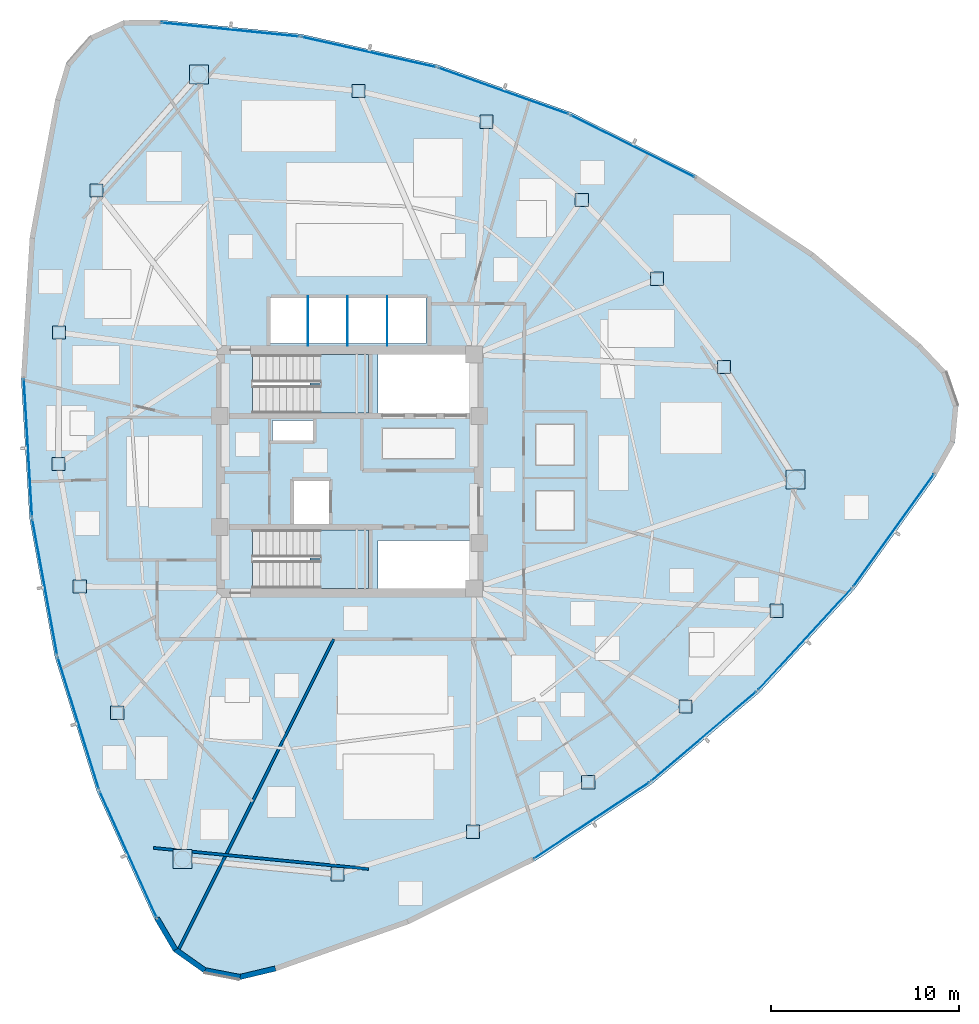
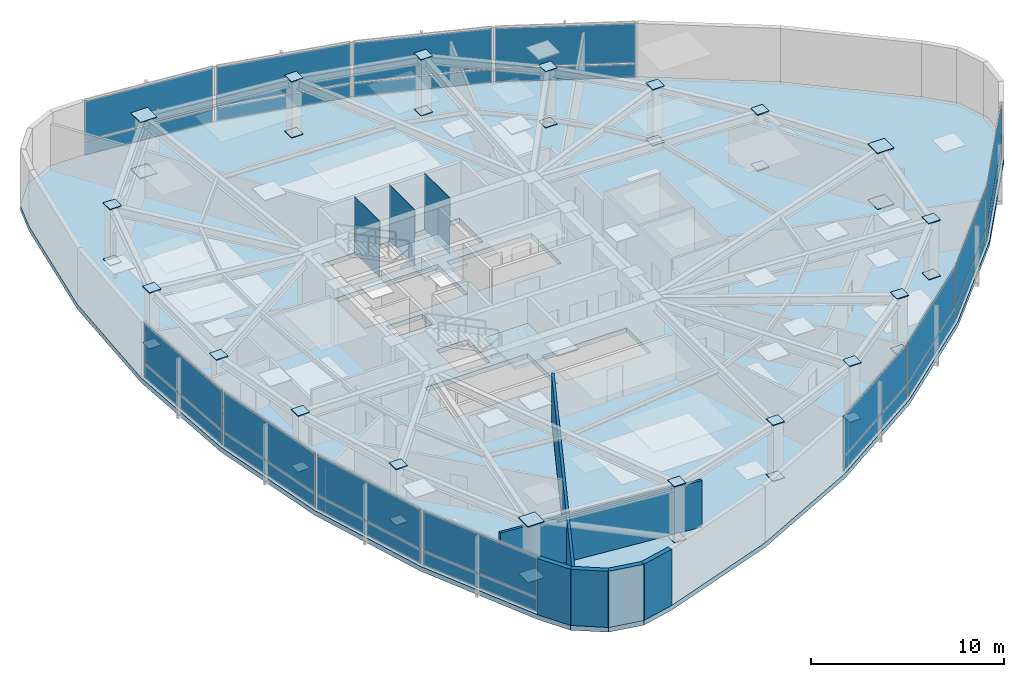
# One storey, part 10 of 17: 63 plates, 6 walls, 3 slabs, 14 elements without a shape of their own.
"""IFC4 building model written with IfcOpenShell, lengths in metres."""

from ifc_helpers import new_model, si_unit, direction, frame, frame_2d, origin, origin_2d, place, context, subcontext, project, spatial, polyline, rectangle, outline, extrude, source, transform, mapped, material, layer, layer_set, type_object, type_shapes, element, aggregate, save


model = new_model("IFC4")

# Units and contexts
model_context = context("Model", 3, precision=1e-05, world=origin(), true_north=direction((0.0, 1.0)))
body_context = subcontext(model_context, "Body", "Model", "MODEL_VIEW")
ifc_project = project(units=[si_unit("LENGTHUNIT", "METRE"), si_unit("AREAUNIT", "SQUARE_METRE"), si_unit("VOLUMEUNIT", "CUBIC_METRE"), si_unit("PLANEANGLEUNIT", "RADIAN"), si_unit("MASSUNIT", "GRAM", prefix="KILO")], contexts=[model_context])

# Site, building, storey
site_placement = place(None, origin())
site = spatial("IfcSite", under=ifc_project, at=site_placement, CompositionType="ELEMENT")
building_placement = place(site_placement, origin())
building = spatial("IfcBuilding", under=site, at=building_placement, Name="Tavelor Broadcast Tower", CompositionType="ELEMENT")
storey_placement = place(building_placement, frame((0.0, 0.0, 188.75)))
storey = spatial("IfcBuildingStorey", under=building, at=storey_placement, Name="L45", CompositionType="ELEMENT", Elevation=188.75)

# Stair, slab
ifc_material_1 = material(Name="Concrete C40/50", Category="concrete")
stair_type = type_object("IfcStairType", Name="Reinforced Concrete Protected Dogleg Stair 1450 mm", PredefinedType="HALF_TURN_STAIR", material=ifc_material_1)
stair_1_placement = place(storey_placement, origin())
stair_1 = element("IfcStair", 1, at=stair_1_placement, inside=storey, type_object=stair_type, Name="L45 Protected Core Exit Stair ST1", PredefinedType="HALF_TURN_STAIR")
ifc_layer_1 = layer(ifc_material_1, 0.199951171875)
ifc_layer_set_1 = layer_set([ifc_layer_1], Name="Concrete C40/50")
slab_type_1 = type_object("IfcSlabType", Name="Reinforced Concrete Stair Half-Landing Slab 200 mm", PredefinedType="LANDING", material=ifc_layer_set_1)
slab_1_placement = place(storey_placement, frame((0.0, 0.0, 1.72509765625)))
slab_1 = element("IfcSlab", 2, at=slab_1_placement, type_object=slab_type_1, Name="ST1 landing 1", PredefinedType="LANDING", context=body_context, shape_type="SweptSolid", body=[
    extrude(outline(polyline([(48.445068359375, 49.590087890625), (48.445068359375, 48.094970703125), (51.0048828125, 48.094970703125), (51.0048828125, 51.205078125), (48.445068359375, 51.205078125), (48.445068359375, 49.7099609375), (47.905029296875, 49.7099609375), (47.905029296875, 49.590087890625), (48.445068359375, 49.590087890625)])), origin(), (0.0, 0.0, 1.0), 0.199951171875),
])
aggregate(stair_1, [slab_1])

stair_2_placement = place(storey_placement, origin())
stair_2 = element("IfcStair", 3, at=stair_2_placement, inside=storey, type_object=stair_type, Name="L45 Protected Core Exit Stair ST2", PredefinedType="HALF_TURN_STAIR")
slab_2_placement = place(storey_placement, frame((0.0, 0.0, 1.72509765625)))
slab_2 = element("IfcSlab", 4, at=slab_2_placement, type_object=slab_type_1, Name="ST2 landing 1", PredefinedType="LANDING", context=body_context, shape_type="SweptSolid", body=[
    extrude(outline(polyline([(48.445068359375, 40.2900390625), (48.445068359375, 38.794921875), (51.0048828125, 38.794921875), (51.0048828125, 41.905029296875), (48.445068359375, 41.905029296875), (48.445068359375, 40.409912109375), (47.905029296875, 40.409912109375), (47.905029296875, 40.2900390625), (48.445068359375, 40.2900390625)])), origin(), (0.0, 0.0, 1.0), 0.199951171875),
])
aggregate(stair_2, [slab_2])

# Slab
ifc_layer_2 = layer(ifc_material_1, 0.300048828125)
ifc_layer_set_2 = layer_set([ifc_layer_2], Name="Concrete C40/50")
slab_type_2 = type_object("IfcSlabType", Name="Tower Composite Floor Slab 300 mm", PredefinedType="FLOOR", material=ifc_layer_set_2)
slab_3_placement = place(storey_placement, frame((0.0, 0.0, -0.300048828125)))
element("IfcSlab", 5, at=slab_3_placement, inside=storey, type_object=slab_type_2, Name="L45 Structural Floor Slab", PredefinedType="FLOOR", context=body_context, shape_type="SweptSolid", body=[
    extrude(outline(polyline([(39.977783203125, 68.96826171875), (38.01513671875, 68.952880859375), (36.232666015625, 68.131103515625), (34.9462890625, 66.648681640625), (34.384033203125, 64.768310546875), (33.025634765625, 57.42236328125), (32.566162109375, 49.9658203125), (33.012451171875, 42.508544921875), (34.35791015625, 35.16015625), (36.58251953125, 28.028564453125), (39.654052734375, 21.218505859375), (40.648681640625, 19.526611328125), (42.25146484375, 18.393798828125), (44.178466796875, 18.02099609375), (46.088134765625, 18.474365234375), (53.129150390625, 20.970947265625), (59.81640625, 24.30126953125), (66.051513671875, 28.416259765625), (71.74267578125, 33.255615234375), (76.806396484375, 38.748291015625), (81.168212890625, 44.81298828125), (82.13623046875, 46.5205078125), (82.31591796875, 48.47509765625), (81.67529296875, 50.330078125), (80.327880859375, 51.75732421875), (74.645263671875, 56.606689453125), (68.41748046875, 60.73291015625), (61.736083984375, 64.074951171875), (54.69970703125, 66.583984375), (47.410888671875, 68.22314453125), (39.977783203125, 68.96826171875)]), holes=[polyline([(56.60009765625, 41.35009765625), (56.60009765625, 38.800048828125), (51.52001953125, 38.800048828125), (51.52001953125, 41.35009765625), (56.60009765625, 41.35009765625)]), polyline([(50.99609375, 38.803955078125), (44.85400390625, 38.803955078125), (44.85400390625, 41.89599609375), (50.99609375, 41.89599609375), (50.99609375, 38.803955078125)]), polyline([(47.050048828125, 42.199951171875), (47.050048828125, 44.550048828125), (48.949951171875, 44.550048828125), (48.949951171875, 42.199951171875), (47.050048828125, 42.199951171875)]), polyline([(48.050048828125, 46.64990234375), (45.89990234375, 46.64990234375), (45.89990234375, 47.699951171875), (48.050048828125, 47.699951171875), (48.050048828125, 46.64990234375)]), polyline([(50.99609375, 48.10400390625), (44.85400390625, 48.10400390625), (44.85400390625, 51.196044921875), (50.99609375, 51.196044921875), (50.99609375, 48.10400390625)]), polyline([(56.60009765625, 48.10009765625), (51.52001953125, 48.10009765625), (51.52001953125, 51.199951171875), (56.60009765625, 51.199951171875), (56.60009765625, 48.10009765625)]), polyline([(54.050048828125, 51.800048828125), (45.800048828125, 51.800048828125), (45.800048828125, 54.25), (54.050048828125, 54.25), (54.050048828125, 51.800048828125)])]), origin(), (0.0, 0.0, 1.0), 0.300048828125),
])

# Plates
ifc_material_2 = material(Name="Steel S460", Category="steel")
ifc_layer_3 = layer(ifc_material_2, 0.050048828125)
ifc_layer_set_3 = layer_set([ifc_layer_3], Name="Steel S460")
plate_type_1 = type_object("IfcPlateType", Name="Tube Hollow-End Cap Plate KN05 700x700x50", PredefinedType="USERDEFINED", material=ifc_layer_set_3)
shared_shape_1 = source(origin(), body_context, "Body", "SweptSolid", [
    extrude(rectangle(XDim=0.699951171875, YDim=0.699951171875, at=origin_2d()), origin(), (0.0, 0.0, 1.0), 0.054931640625),
])
for number, where, z_axis, x_axis, name in (
    (6, (36.567626953125, 59.91064453125, -0.02734375), (0.0, 0.0, 1.0), (1.0, 0.0, 0.0), "L45 Hollow End Cap Plate KN05 #1289"),
    (7, (36.567626953125, 59.91064453125, 3.5224609375), (0.0, 0.0, 1.0), (1.0, 0.0, 0.0), "L45 Hollow End Cap Plate KN05 #1290"),
    (8, (34.5751953125, 52.37939453125, -0.02734375), (0.0, 0.0, 1.0), (1.0, 0.0, 0.0), "L45 Hollow End Cap Plate KN05 #1291"),
    (9, (34.5751953125, 52.37939453125, 3.5224609375), (0.0, 0.0, 1.0), (1.0, 0.0, 0.0), "L45 Hollow End Cap Plate KN05 #1292"),
    (10, (34.54638671875, 45.399169921875, -0.02734375), (0.0, 0.0, 1.0), (1.0, 0.0, 0.0), "L45 Hollow End Cap Plate KN05 #1293"),
    (11, (34.54638671875, 45.399169921875, 3.5224609375), (0.0, 0.0, 1.0), (1.0, 0.0, 0.0), "L45 Hollow End Cap Plate KN05 #1294"),
    (12, (35.680908203125, 38.89990234375, -0.02734375), (0.0, 0.0, 1.0), (1.0, 0.0, 0.0), "L45 Hollow End Cap Plate KN05 #1295"),
    (13, (35.680908203125, 38.89990234375, 3.5224609375), (0.0, 0.0, 1.0), (1.0, 0.0, 0.0), "L45 Hollow End Cap Plate KN05 #1296"),
    (14, (37.668212890625, 32.1904296875, -0.02734375), (0.0, 0.0, 1.0), (1.0, 0.0, 0.0), "L45 Hollow End Cap Plate KN05 #1297"),
    (15, (37.668212890625, 32.1904296875, 3.5224609375), (0.0, 0.0, 1.0), (1.0, 0.0, 0.0), "L45 Hollow End Cap Plate KN05 #1298"),
    (16, (49.366455078125, 23.618896484375, -0.02734375), (0.0, 0.0, 1.0), (1.0, 0.0, 0.0), "L45 Hollow End Cap Plate KN05 #1301"),
    (17, (49.366455078125, 23.618896484375, 3.5224609375), (0.0, 0.0, 1.0), (1.0, 0.0, 0.0), "L45 Hollow End Cap Plate KN05 #1302"),
    (18, (56.56103515625, 25.872802734375, -0.02734375), (0.0, 0.0, 1.0), (1.0, 0.0, 0.0), "L45 Hollow End Cap Plate KN05 #1303"),
    (19, (56.56103515625, 25.872802734375, 3.5224609375), (0.0, 0.0, 1.0), (1.0, 0.0, 0.0), "L45 Hollow End Cap Plate KN05 #1304"),
    (20, (62.669189453125, 28.503173828125, -0.02734375), (0.0, 0.0, 1.0), (1.0, 0.0, 0.0), "L45 Hollow End Cap Plate KN05 #1305"),
    (21, (62.669189453125, 28.503173828125, 3.5224609375), (0.0, 0.0, 1.0), (1.0, 0.0, 0.0), "L45 Hollow End Cap Plate KN05 #1306"),
    (22, (67.84228515625, 32.53173828125, -0.02734375), (0.0, 0.0, 1.0), (1.0, 0.0, 0.0), "L45 Hollow End Cap Plate KN05 #1307"),
    (23, (67.84228515625, 32.53173828125, 3.5224609375), (0.0, 0.0, 1.0), (1.0, 0.0, 0.0), "L45 Hollow End Cap Plate KN05 #1308"),
    (24, (72.6591796875, 37.607421875, -0.02734375), (0.0, 0.0, 1.0), (1.0, 0.0, 0.0), "L45 Hollow End Cap Plate KN05 #1309"),
    (25, (72.6591796875, 37.607421875, 3.5224609375), (0.0, 0.0, 1.0), (1.0, 0.0, 0.0), "L45 Hollow End Cap Plate KN05 #1310"),
    (26, (69.885986328125, 50.544189453125, -0.02734375), (0.0, 0.0, 1.0), (1.0, 0.0, 0.0), "L45 Hollow End Cap Plate KN05 #1313"),
    (27, (69.885986328125, 50.544189453125, 3.5224609375), (0.0, 0.0, 1.0), (1.0, 0.0, 0.0), "L45 Hollow End Cap Plate KN05 #1314"),
    (28, (66.322021484375, 55.228759765625, -0.02734375), (0.0, 0.0, 1.0), (1.0, 0.0, 0.0), "L45 Hollow End Cap Plate KN05 #1315"),
    (29, (66.322021484375, 55.228759765625, 3.5224609375), (0.0, 0.0, 1.0), (1.0, 0.0, 0.0), "L45 Hollow End Cap Plate KN05 #1316"),
    (30, (62.330810546875, 59.416259765625, -0.02734375), (0.0, 0.0, 1.0), (1.0, 0.0, 0.0), "L45 Hollow End Cap Plate KN05 #1317"),
    (31, (62.330810546875, 59.416259765625, 3.5224609375), (0.0, 0.0, 1.0), (1.0, 0.0, 0.0), "L45 Hollow End Cap Plate KN05 #1318"),
    (32, (57.276611328125, 63.568359375, -0.02734375), (0.0, 0.0, 1.0), (1.0, 0.0, 0.0), "L45 Hollow End Cap Plate KN05 #1319"),
    (33, (57.276611328125, 63.568359375, 3.5224609375), (0.0, 0.0, 1.0), (1.0, 0.0, 0.0), "L45 Hollow End Cap Plate KN05 #1320"),
    (34, (50.472412109375, 65.2021484375, -0.02734375), (0.0, 0.0, 1.0), (1.0, 0.0, 0.0), "L45 Hollow End Cap Plate KN05 #1321"),
    (35, (50.472412109375, 65.2021484375, 3.5224609375), (0.0, 0.0, 1.0), (1.0, 0.0, 0.0), "L45 Hollow End Cap Plate KN05 #1322"),
):
    element("IfcPlate", number, at=place(storey_placement, frame(where, z_axis=z_axis, x_axis=x_axis)), inside=storey, type_object=plate_type_1, Name=name, ObjectType="CAP PLATE", PredefinedType="USERDEFINED", context=body_context, shape_type="MappedRepresentation", body=[
        mapped(shared_shape_1, transform((0.0, 0.0, 0.0), scale=1.0)),
    ])
shared_shape_2 = source(origin(), body_context, "Body", "SweptSolid", [
    extrude(rectangle(XDim=0.993896484375, YDim=0.993896484375, at=origin_2d()), origin(), (0.0, 0.0, 1.0), 0.054931640625),
])
type_shapes(plate_type_1, [shared_shape_1, shared_shape_2])
for number, where, z_axis, x_axis, name in (
    (36, (42.01123046875, 66.080078125, -0.02734375), (0.0, 0.0, 1.0), (1.0, 0.0, 0.0), "L45 Hollow End Cap Plate KN05 #1287"),
    (37, (42.01123046875, 66.080078125, 3.5224609375), (0.0, 0.0, 1.0), (1.0, 0.0, 0.0), "L45 Hollow End Cap Plate KN05 #1288"),
    (38, (41.138671875, 24.423828125, -0.02734375), (0.0, 0.0, 1.0), (1.0, 0.0, 0.0), "L45 Hollow End Cap Plate KN05 #1299"),
    (39, (41.138671875, 24.423828125, 3.5224609375), (0.0, 0.0, 1.0), (1.0, 0.0, 0.0), "L45 Hollow End Cap Plate KN05 #1300"),
    (40, (73.676025390625, 44.57958984375, -0.02734375), (0.0, 0.0, 1.0), (1.0, 0.0, 0.0), "L45 Hollow End Cap Plate KN05 #1311"),
    (41, (73.676025390625, 44.57958984375, 3.5224609375), (0.0, 0.0, 1.0), (1.0, 0.0, 0.0), "L45 Hollow End Cap Plate KN05 #1312"),
):
    element("IfcPlate", number, at=place(storey_placement, frame(where, z_axis=z_axis, x_axis=x_axis)), inside=storey, type_object=plate_type_1, Name=name, ObjectType="CAP PLATE", PredefinedType="USERDEFINED", context=body_context, shape_type="MappedRepresentation", body=[
        mapped(shared_shape_2, transform((0.0, 0.0, 0.0), scale=1.0)),
    ])
ifc_material_3 = material(Name="Steel S355", Category="steel")
ifc_layer_4 = layer(ifc_material_3, 0.011962890625)
ifc_layer_set_4 = layer_set([ifc_layer_4], Name="Steel S355")
plate_type_2 = type_object("IfcPlateType", Name="Hoistway Steel Separator Screen 12 mm", PredefinedType="SHEET", material=ifc_layer_set_4)
shared_shape_3 = source(origin(), body_context, "Body", "SweptSolid", [
    extrude(rectangle(XDim=0.02001953125, YDim=2.6201171875, at=origin_2d()), origin(), (0.0, 0.0, 1.0), 3.550048828125),
])
type_shapes(plate_type_2, [shared_shape_3])
for number, where, z_axis, x_axis, name in (
    (42, (47.800048828125, 52.989990234375, 0.0), (0.0, 0.0, 1.0), (1.0, 0.0, 0.0), "L45 High-Rise Hoistway Separator Screen 1"),
    (43, (49.89990234375, 52.989990234375, 0.0), (0.0, 0.0, 1.0), (1.0, 0.0, 0.0), "L45 High-Rise Hoistway Separator Screen 2"),
    (44, (52.0, 52.989990234375, 0.0), (0.0, 0.0, 1.0), (1.0, 0.0, 0.0), "L45 High-Rise Hoistway Separator Screen 3"),
):
    element("IfcPlate", number, at=place(storey_placement, frame(where, z_axis=z_axis, x_axis=x_axis)), inside=storey, type_object=plate_type_2, Name=name, PredefinedType="SHEET", context=body_context, shape_type="MappedRepresentation", body=[
        mapped(shared_shape_3, transform((0.0, 0.0, 0.0), scale=1.0)),
    ])

# Curtain wall, plates
ifc_material_4 = material(Name="Architectural Anodized Aluminium", Category="aluminium")
ifc_layer_5 = layer(ifc_material_4, 0.18994140625)
ifc_layer_set_5 = layer_set([ifc_layer_5], Name="Architectural Anodized Aluminium")
curtain_wall_type = type_object("IfcCurtainWallType", Name="Tower Mid-Zone Acoustic Curtain Wall CW03", PredefinedType="NOTDEFINED", material=ifc_layer_set_5)
curtain_wall_1_placement = place(storey_placement, origin())
curtain_wall_1 = element("IfcCurtainWall", 45, at=curtain_wall_1_placement, inside=storey, type_object=curtain_wall_type, Name="L45 Curtain Wall CW03 Run 481", PredefinedType="NOTDEFINED")
ifc_material_5 = material(Name="Solar Control Double Glazing 30 mm", Category="glass")
ifc_layer_6 = layer(ifc_material_5, 0.030029296875)
ifc_layer_set_6 = layer_set([ifc_layer_6], Name="Solar Control Double Glazing 30 mm")
plate_type_3 = type_object("IfcPlateType", Name="CW03 Insulated Vision Glazing Panel 30 mm", PredefinedType="CURTAIN_PANEL", material=ifc_layer_set_6)
shared_shape_4 = source(origin(), body_context, "Body", "SweptSolid", [
    extrude(rectangle(XDim=7.302734375, YDim=0.030029296875, at=origin_2d()), origin(), (0.0, 0.0, 1.0), 0.847900390625),
])
plate_1_placement = place(storey_placement, frame((32.9287109375, 46.253173828125, 0.06787109375), z_axis=(0.0, 0.0, 1.0), x_axis=(0.059714939542, -0.998215470725, 0.0)))
plate_1 = element("IfcPlate", 46, at=plate_1_placement, type_object=plate_type_3, Name="CW03 panel 1.1", PredefinedType="CURTAIN_PANEL", context=body_context, shape_type="MappedRepresentation", body=[
    mapped(shared_shape_4, transform((0.0, 0.0, 0.0), scale=1.0)),
])
shared_shape_5 = source(origin(), body_context, "Body", "SweptSolid", [
    extrude(rectangle(XDim=7.302734375, YDim=0.030029296875, at=origin_2d()), origin(), (0.0, 0.0, 1.0), 2.498046875),
])
plate_2_placement = place(storey_placement, frame((32.9287109375, 46.253173828125, 0.98388671875), z_axis=(0.0, 0.0, 1.0), x_axis=(0.059714939542, -0.998215470725, 0.0)))
plate_2 = element("IfcPlate", 47, at=plate_2_placement, type_object=plate_type_3, Name="CW03 panel 1.2", PredefinedType="CURTAIN_PANEL", context=body_context, shape_type="MappedRepresentation", body=[
    mapped(shared_shape_5, transform((0.0, 0.0, 0.0), scale=1.0)),
])
aggregate(curtain_wall_1, [plate_1, plate_2])

# Curtain wall, plate
curtain_wall_2_placement = place(storey_placement, origin())
curtain_wall_2 = element("IfcCurtainWall", 48, at=curtain_wall_2_placement, inside=storey, type_object=curtain_wall_type, Name="L45 Curtain Wall CW03 Run 482", PredefinedType="NOTDEFINED")
shared_shape_6 = source(origin(), body_context, "Body", "SweptSolid", [
    extrude(rectangle(XDim=7.28759765625, YDim=0.030029296875, at=origin_2d()), origin(), (0.0, 0.0, 1.0), 0.847900390625),
])
plate_3_placement = place(storey_placement, frame((33.82275390625, 38.859619140625, 0.06787109375), z_axis=(0.0, 0.0, 1.0), x_axis=(0.180101532424, -0.983648025474, 0.0)))
plate_3 = element("IfcPlate", 49, at=plate_3_placement, type_object=plate_type_3, Name="CW03 panel 1.1", PredefinedType="CURTAIN_PANEL", context=body_context, shape_type="MappedRepresentation", body=[
    mapped(shared_shape_6, transform((0.0, 0.0, 0.0), scale=1.0)),
])

curtain_wall_3_placement = place(storey_placement, origin())
curtain_wall_3 = element("IfcCurtainWall", 50, at=curtain_wall_3_placement, inside=storey, type_object=curtain_wall_type, Name="L45 Curtain Wall CW03 Run 483", PredefinedType="NOTDEFINED")
plate_4_placement = place(storey_placement, frame((35.603759765625, 31.635986328125, 0.06787109375), z_axis=(0.0, 0.0, 1.0), x_axis=(0.297805551296, -0.954626551913, 0.0)))
plate_4 = element("IfcPlate", 51, at=plate_4_placement, type_object=plate_type_3, Name="CW03 panel 1.1", PredefinedType="CURTAIN_PANEL", context=body_context, shape_type="MappedRepresentation", body=[
    mapped(shared_shape_6, transform((0.0, 0.0, 0.0), scale=1.0)),
])

curtain_wall_4_placement = place(storey_placement, origin())
curtain_wall_4 = element("IfcCurtainWall", 52, at=curtain_wall_4_placement, inside=storey, type_object=curtain_wall_type, Name="L45 Curtain Wall CW03 Run 486", PredefinedType="NOTDEFINED")
plate_5_placement = place(storey_placement, frame((68.806396484375, 30.942626953125, 0.06787109375), z_axis=(0.0, 0.0, 1.0), x_axis=(0.761818987688, 0.647789958242, 0.0)))
plate_5 = element("IfcPlate", 53, at=plate_5_placement, type_object=plate_type_3, Name="CW03 panel 1.1", PredefinedType="CURTAIN_PANEL", context=body_context, shape_type="MappedRepresentation", body=[
    mapped(shared_shape_6, transform((0.0, 0.0, 0.0), scale=1.0)),
])

curtain_wall_5_placement = place(storey_placement, origin())
curtain_wall_5 = element("IfcCurtainWall", 54, at=curtain_wall_5_placement, inside=storey, type_object=curtain_wall_type, Name="L45 Curtain Wall CW03 Run 487", PredefinedType="NOTDEFINED")
plate_6_placement = place(storey_placement, frame((74.171630859375, 36.096923828125, 0.06787109375), z_axis=(0.0, 0.0, 1.0), x_axis=(0.677831828566, 0.735216983062, 0.0)))
plate_6 = element("IfcPlate", 55, at=plate_6_placement, type_object=plate_type_3, Name="CW03 panel 1.1", PredefinedType="CURTAIN_PANEL", context=body_context, shape_type="MappedRepresentation", body=[
    mapped(shared_shape_6, transform((0.0, 0.0, 0.0), scale=1.0)),
])

curtain_wall_6_placement = place(storey_placement, origin())
curtain_wall_6 = element("IfcCurtainWall", 56, at=curtain_wall_6_placement, inside=storey, type_object=curtain_wall_type, Name="L45 Curtain Wall CW03 Run 490", PredefinedType="NOTDEFINED")
plate_7_placement = place(storey_placement, frame((58.1708984375, 65.19775390625, 0.06787109375), z_axis=(0.0, 0.0, 1.0), x_axis=(-0.941910329239, 0.335864454315, 0.0)))
plate_7 = element("IfcPlate", 57, at=plate_7_placement, type_object=plate_type_3, Name="CW03 panel 1.1", PredefinedType="CURTAIN_PANEL", context=body_context, shape_type="MappedRepresentation", body=[
    mapped(shared_shape_6, transform((0.0, 0.0, 0.0), scale=1.0)),
])

curtain_wall_7_placement = place(storey_placement, origin())
curtain_wall_7 = element("IfcCurtainWall", 58, at=curtain_wall_7_placement, inside=storey, type_object=curtain_wall_type, Name="L45 Curtain Wall CW03 Run 491", PredefinedType="NOTDEFINED")
plate_8_placement = place(storey_placement, frame((51.024658203125, 67.26708984375, 0.06787109375), z_axis=(0.0, 0.0, 1.0), x_axis=(-0.975633694098, 0.219405776906, 0.0)))
plate_8 = element("IfcPlate", 59, at=plate_8_placement, type_object=plate_type_3, Name="CW03 panel 1.1", PredefinedType="CURTAIN_PANEL", context=body_context, shape_type="MappedRepresentation", body=[
    mapped(shared_shape_6, transform((0.0, 0.0, 0.0), scale=1.0)),
])

# Plate
shared_shape_7 = source(origin(), body_context, "Body", "SweptSolid", [
    extrude(rectangle(XDim=7.28759765625, YDim=0.030029296875, at=origin_2d()), origin(), (0.0, 0.0, 1.0), 2.498046875),
])
plate_9_placement = place(storey_placement, frame((33.82275390625, 38.859619140625, 0.98388671875), z_axis=(0.0, 0.0, 1.0), x_axis=(0.180101532424, -0.983648025474, 0.0)))
plate_9 = element("IfcPlate", 60, at=plate_9_placement, type_object=plate_type_3, Name="CW03 panel 1.2", PredefinedType="CURTAIN_PANEL", context=body_context, shape_type="MappedRepresentation", body=[
    mapped(shared_shape_7, transform((0.0, 0.0, 0.0), scale=1.0)),
])

aggregate(curtain_wall_2, [plate_3, plate_9])

plate_10_placement = place(storey_placement, frame((35.603759765625, 31.635986328125, 0.98388671875), z_axis=(0.0, 0.0, 1.0), x_axis=(0.297805551296, -0.954626551913, 0.0)))
plate_10 = element("IfcPlate", 61, at=plate_10_placement, type_object=plate_type_3, Name="CW03 panel 1.2", PredefinedType="CURTAIN_PANEL", context=body_context, shape_type="MappedRepresentation", body=[
    mapped(shared_shape_7, transform((0.0, 0.0, 0.0), scale=1.0)),
])

aggregate(curtain_wall_3, [plate_4, plate_10])

plate_11_placement = place(storey_placement, frame((68.806396484375, 30.942626953125, 0.98388671875), z_axis=(0.0, 0.0, 1.0), x_axis=(0.761818987688, 0.647789958242, 0.0)))
plate_11 = element("IfcPlate", 62, at=plate_11_placement, type_object=plate_type_3, Name="CW03 panel 1.2", PredefinedType="CURTAIN_PANEL", context=body_context, shape_type="MappedRepresentation", body=[
    mapped(shared_shape_7, transform((0.0, 0.0, 0.0), scale=1.0)),
])

aggregate(curtain_wall_4, [plate_5, plate_11])

plate_12_placement = place(storey_placement, frame((74.171630859375, 36.096923828125, 0.98388671875), z_axis=(0.0, 0.0, 1.0), x_axis=(0.677831828566, 0.735216983062, 0.0)))
plate_12 = element("IfcPlate", 63, at=plate_12_placement, type_object=plate_type_3, Name="CW03 panel 1.2", PredefinedType="CURTAIN_PANEL", context=body_context, shape_type="MappedRepresentation", body=[
    mapped(shared_shape_7, transform((0.0, 0.0, 0.0), scale=1.0)),
])

aggregate(curtain_wall_5, [plate_6, plate_12])

plate_13_placement = place(storey_placement, frame((58.1708984375, 65.19775390625, 0.98388671875), z_axis=(0.0, 0.0, 1.0), x_axis=(-0.941910329239, 0.335864454315, 0.0)))
plate_13 = element("IfcPlate", 64, at=plate_13_placement, type_object=plate_type_3, Name="CW03 panel 1.2", PredefinedType="CURTAIN_PANEL", context=body_context, shape_type="MappedRepresentation", body=[
    mapped(shared_shape_7, transform((0.0, 0.0, 0.0), scale=1.0)),
])

aggregate(curtain_wall_6, [plate_7, plate_13])

plate_14_placement = place(storey_placement, frame((51.024658203125, 67.26708984375, 0.98388671875), z_axis=(0.0, 0.0, 1.0), x_axis=(-0.975633694098, 0.219405776906, 0.0)))
plate_14 = element("IfcPlate", 65, at=plate_14_placement, type_object=plate_type_3, Name="CW03 panel 1.2", PredefinedType="CURTAIN_PANEL", context=body_context, shape_type="MappedRepresentation", body=[
    mapped(shared_shape_7, transform((0.0, 0.0, 0.0), scale=1.0)),
])

aggregate(curtain_wall_7, [plate_8, plate_14])

# Curtain wall, plate
curtain_wall_8_placement = place(storey_placement, origin())
curtain_wall_8 = element("IfcCurtainWall", 66, at=curtain_wall_8_placement, inside=storey, type_object=curtain_wall_type, Name="L45 Curtain Wall CW03 Run 484", PredefinedType="NOTDEFINED")
shared_shape_8 = source(origin(), body_context, "Body", "SweptSolid", [
    extrude(rectangle(XDim=7.303466796875, YDim=0.030029296875, at=origin_2d()), origin(), (0.0, 0.0, 1.0), 0.847900390625),
])
plate_15_placement = place(storey_placement, frame((38.249267578125, 24.673828125, 0.06787109375), z_axis=(0.0, 0.0, 1.0), x_axis=(0.411139729386, -0.911572335539, 0.0)))
plate_15 = element("IfcPlate", 67, at=plate_15_placement, type_object=plate_type_3, Name="CW03 panel 1.1", PredefinedType="CURTAIN_PANEL", context=body_context, shape_type="MappedRepresentation", body=[
    mapped(shared_shape_8, transform((0.0, 0.0, 0.0), scale=1.0)),
])

curtain_wall_9_placement = place(storey_placement, origin())
curtain_wall_9 = element("IfcCurtainWall", 68, at=curtain_wall_9_placement, inside=storey, type_object=curtain_wall_type, Name="L45 Curtain Wall CW03 Run 488", PredefinedType="NOTDEFINED")
plate_16_placement = place(storey_placement, frame((78.87841796875, 41.868896484375, 0.06787109375), z_axis=(0.0, 0.0, 1.0), x_axis=(0.58386342143, 0.811851898511, 0.0)))
plate_16 = element("IfcPlate", 69, at=plate_16_placement, type_object=plate_type_3, Name="CW03 panel 1.1", PredefinedType="CURTAIN_PANEL", context=body_context, shape_type="MappedRepresentation", body=[
    mapped(shared_shape_8, transform((0.0, 0.0, 0.0), scale=1.0)),
])

curtain_wall_10_placement = place(storey_placement, origin())
curtain_wall_10 = element("IfcCurtainWall", 70, at=curtain_wall_10_placement, inside=storey, type_object=curtain_wall_type, Name="L45 Curtain Wall CW03 Run 492", PredefinedType="NOTDEFINED")
plate_17_placement = place(storey_placement, frame((43.67236328125, 68.45703125, 0.06787109375), z_axis=(0.0, 0.0, 1.0), x_axis=(-0.995015206914, 0.099723307254, 0.0)))
plate_17 = element("IfcPlate", 71, at=plate_17_placement, type_object=plate_type_3, Name="CW03 panel 1.1", PredefinedType="CURTAIN_PANEL", context=body_context, shape_type="MappedRepresentation", body=[
    mapped(shared_shape_8, transform((0.0, 0.0, 0.0), scale=1.0)),
])

# Plate
shared_shape_9 = source(origin(), body_context, "Body", "SweptSolid", [
    extrude(rectangle(XDim=7.303466796875, YDim=0.030029296875, at=origin_2d()), origin(), (0.0, 0.0, 1.0), 2.498046875),
])
plate_18_placement = place(storey_placement, frame((38.249267578125, 24.673828125, 0.98388671875), z_axis=(0.0, 0.0, 1.0), x_axis=(0.411139729386, -0.911572335539, 0.0)))
plate_18 = element("IfcPlate", 72, at=plate_18_placement, type_object=plate_type_3, Name="CW03 panel 1.2", PredefinedType="CURTAIN_PANEL", context=body_context, shape_type="MappedRepresentation", body=[
    mapped(shared_shape_9, transform((0.0, 0.0, 0.0), scale=1.0)),
])

aggregate(curtain_wall_8, [plate_15, plate_18])

plate_19_placement = place(storey_placement, frame((78.87841796875, 41.868896484375, 0.98388671875), z_axis=(0.0, 0.0, 1.0), x_axis=(0.58386342143, 0.811851898511, 0.0)))
plate_19 = element("IfcPlate", 73, at=plate_19_placement, type_object=plate_type_3, Name="CW03 panel 1.2", PredefinedType="CURTAIN_PANEL", context=body_context, shape_type="MappedRepresentation", body=[
    mapped(shared_shape_9, transform((0.0, 0.0, 0.0), scale=1.0)),
])

aggregate(curtain_wall_9, [plate_16, plate_19])

plate_20_placement = place(storey_placement, frame((43.67236328125, 68.45703125, 0.98388671875), z_axis=(0.0, 0.0, 1.0), x_axis=(-0.995015206914, 0.099723307254, 0.0)))
plate_20 = element("IfcPlate", 74, at=plate_20_placement, type_object=plate_type_3, Name="CW03 panel 1.2", PredefinedType="CURTAIN_PANEL", context=body_context, shape_type="MappedRepresentation", body=[
    mapped(shared_shape_9, transform((0.0, 0.0, 0.0), scale=1.0)),
])

aggregate(curtain_wall_10, [plate_17, plate_20])

# Curtain wall, plate
curtain_wall_11_placement = place(storey_placement, origin())
curtain_wall_11 = element("IfcCurtainWall", 75, at=curtain_wall_11_placement, inside=storey, type_object=curtain_wall_type, Name="L45 Curtain Wall CW03 Run 485", PredefinedType="NOTDEFINED")
shared_shape_10 = source(origin(), body_context, "Body", "SweptSolid", [
    extrude(rectangle(XDim=7.302490234375, YDim=0.030029296875, at=origin_2d()), origin(), (0.0, 0.0, 1.0), 0.847900390625),
])
plate_21_placement = place(storey_placement, frame((62.8505859375, 26.471435546875, 0.06787109375), z_axis=(0.0, 0.0, 1.0), x_axis=(0.834608046856, 0.550844268486, 0.0)))
plate_21 = element("IfcPlate", 76, at=plate_21_placement, type_object=plate_type_3, Name="CW03 panel 1.1", PredefinedType="CURTAIN_PANEL", context=body_context, shape_type="MappedRepresentation", body=[
    mapped(shared_shape_10, transform((0.0, 0.0, 0.0), scale=1.0)),
])

curtain_wall_12_placement = place(storey_placement, origin())
curtain_wall_12 = element("IfcCurtainWall", 77, at=curtain_wall_12_placement, inside=storey, type_object=curtain_wall_type, Name="L45 Curtain Wall CW03 Run 489", PredefinedType="NOTDEFINED")
plate_22_placement = place(storey_placement, frame((65.02099609375, 62.275390625, 0.06787109375), z_axis=(0.0, 0.0, 1.0), x_axis=(-0.894349205671, 0.447369532173, 0.0)))
plate_22 = element("IfcPlate", 78, at=plate_22_placement, type_object=plate_type_3, Name="CW03 panel 1.1", PredefinedType="CURTAIN_PANEL", context=body_context, shape_type="MappedRepresentation", body=[
    mapped(shared_shape_10, transform((0.0, 0.0, 0.0), scale=1.0)),
])

# Plate
shared_shape_11 = source(origin(), body_context, "Body", "SweptSolid", [
    extrude(rectangle(XDim=7.302490234375, YDim=0.030029296875, at=origin_2d()), origin(), (0.0, 0.0, 1.0), 2.498046875),
])
type_shapes(plate_type_3, [shared_shape_4, shared_shape_5, shared_shape_6, shared_shape_7, shared_shape_8, shared_shape_9, shared_shape_10, shared_shape_11])
plate_23_placement = place(storey_placement, frame((62.8505859375, 26.471435546875, 0.98388671875), z_axis=(0.0, 0.0, 1.0), x_axis=(0.834608046856, 0.550844268486, 0.0)))
plate_23 = element("IfcPlate", 79, at=plate_23_placement, type_object=plate_type_3, Name="CW03 panel 1.2", PredefinedType="CURTAIN_PANEL", context=body_context, shape_type="MappedRepresentation", body=[
    mapped(shared_shape_11, transform((0.0, 0.0, 0.0), scale=1.0)),
])

aggregate(curtain_wall_11, [plate_21, plate_23])

plate_24_placement = place(storey_placement, frame((65.02099609375, 62.275390625, 0.98388671875), z_axis=(0.0, 0.0, 1.0), x_axis=(-0.894349205671, 0.447369532173, 0.0)))
plate_24 = element("IfcPlate", 80, at=plate_24_placement, type_object=plate_type_3, Name="CW03 panel 1.2", PredefinedType="CURTAIN_PANEL", context=body_context, shape_type="MappedRepresentation", body=[
    mapped(shared_shape_11, transform((0.0, 0.0, 0.0), scale=1.0)),
])

aggregate(curtain_wall_12, [plate_22, plate_24])

# Walls
ifc_material_6 = material(Name="Precast Concrete C40/50", Category="concrete")
ifc_layer_7 = layer(ifc_material_6, 0.280029296875)
ifc_layer_set_7 = layer_set([ifc_layer_7], Name="Precast Concrete C40/50")
wall_type_1 = type_object("IfcWallType", Name="Insulated Precast Terracotta Facade Wall 280 mm", PredefinedType="STANDARD", material=ifc_layer_set_7)
wall_1_placement = place(storey_placement, frame((39.776611328125, 21.28662109375, 0.0), z_axis=(0.0, 0.0, 1.0), x_axis=(0.506718249758, -0.862111718609, 0.0)))
element("IfcWall", 81, at=wall_1_placement, inside=storey, type_object=wall_type_1, Name="L45 Rounded Corner Structural Cladding Pier 11", PredefinedType="STANDARD", context=body_context, shape_type="SweptSolid", body=[
    extrude(rectangle(XDim=1.944091796875, YDim=0.280029296875, at=frame_2d((0.97216796875, 0.0))), origin(), (0.0, 0.0, 1.0), 3.550048828125),
])
wall_2_placement = place(storey_placement, frame((40.741943359375, 19.632080078125, 0.0), z_axis=(0.0, 0.0, 1.0), x_axis=(0.816677097892, -0.577094894952, 0.0)))
element("IfcWall", 82, at=wall_2_placement, inside=storey, type_object=wall_type_1, Name="L45 Rounded Corner Structural Cladding Pier 12", PredefinedType="STANDARD", context=body_context, shape_type="SweptSolid", body=[
    extrude(rectangle(XDim=1.93212890625, YDim=0.280029296875, at=frame_2d((0.966064453125, 0.0))), origin(), (0.0, 0.0, 1.0), 3.550048828125),
])
wall_3_placement = place(storey_placement, frame((42.29296875, 18.528564453125, 0.0), z_axis=(0.0, 0.0, 1.0), x_axis=(0.98178137119, -0.190014049964, 0.0)))
element("IfcWall", 83, at=wall_3_placement, inside=storey, type_object=wall_type_1, Name="L45 Rounded Corner Structural Cladding Pier 13", PredefinedType="STANDARD", context=body_context, shape_type="SweptSolid", body=[
    extrude(rectangle(XDim=1.932373046875, YDim=0.280029296875, at=frame_2d((0.96630859375, 0.0))), origin(), (0.0, 0.0, 1.0), 3.550048828125),
])
wall_4_placement = place(storey_placement, frame((44.160888671875, 18.160888671875, 0.0), z_axis=(0.0, 0.0, 1.0), x_axis=(0.972974791448, 0.230911357899, 0.0)))
element("IfcWall", 84, at=wall_4_placement, inside=storey, type_object=wall_type_1, Name="L45 Rounded Corner Structural Cladding Pier 14", PredefinedType="STANDARD", context=body_context, shape_type="SweptSolid", body=[
    extrude(rectangle(XDim=1.954833984375, YDim=0.280029296875, at=frame_2d((0.9775390625, 0.0))), origin(), (0.0, 0.0, 1.0), 3.550048828125),
])
ifc_material_7 = material(Name="Gypsum Acoustic Plasterboard 150 mm", Category="gypsum")
ifc_layer_8 = layer(ifc_material_7, 0.14990234375)
ifc_layer_set_8 = layer_set([ifc_layer_8], Name="Gypsum Acoustic Plasterboard 150 mm")
wall_type_2 = type_object("IfcWallType", Name="Interior Acoustic Partition Wall 150 mm", PredefinedType="PARTITIONING", material=ifc_layer_set_8)
wall_5_placement = place(storey_placement, frame((39.589111328125, 25.017578125, 0.0), z_axis=(0.0, 0.0, 1.0), x_axis=(0.99524905582, -0.097361783517, 0.0)))
element("IfcWall", 85, at=wall_5_placement, inside=storey, type_object=wall_type_2, Name="L45 Corner Tube Brace Furring Wall 2", PredefinedType="PARTITIONING", context=body_context, shape_type="SweptSolid", body=[
    extrude(rectangle(XDim=11.467041015625, YDim=0.14990234375, at=frame_2d((5.7333984375, 0.0))), origin(), (0.0, 0.0, 1.0), 2.93505859375),
])
wall_6_placement = place(storey_placement, frame((49.156005859375, 36.10009765625, 0.0), z_axis=(0.0, 0.0, 1.0), x_axis=(-0.446733908908, -0.894666873552, 0.0)))
element("IfcWall", 86, at=wall_6_placement, inside=storey, type_object=wall_type_2, Name="L45 Radial Compartment Wall 03", PredefinedType="PARTITIONING", context=body_context, shape_type="SweptSolid", body=[
    extrude(rectangle(XDim=18.528564453125, YDim=0.14990234375, at=frame_2d((9.26416015625, 0.0))), origin(), (0.0, 0.0, 1.0), 2.93505859375),
])

save(model, "model.ifc")
